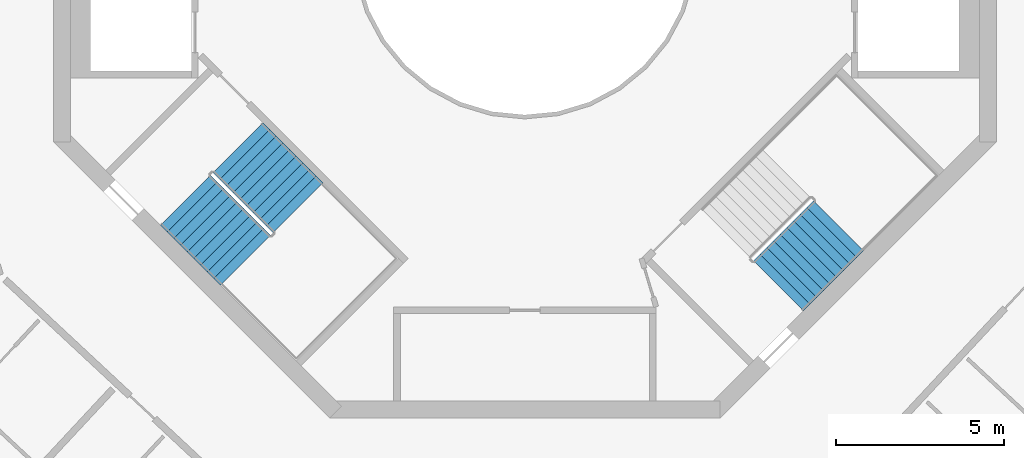
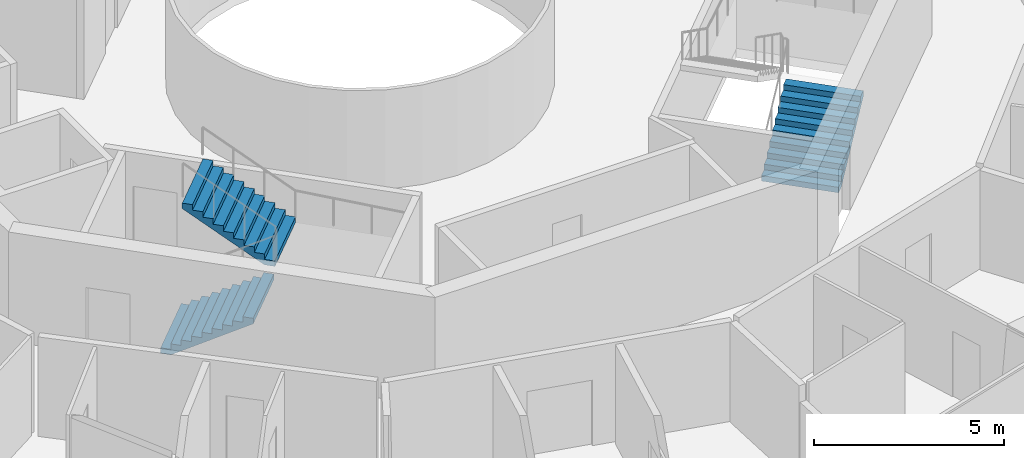
# One storey, part 19 of 21: 3 stair flights, 2 elements without a shape of their own.
"""IFC4 building model written with IfcOpenShell, lengths in metres."""

from ifc_helpers import new_model, si_unit, direction, frame, origin, place, context, subcontext, project, spatial, triangles, material, type_object, element, aggregate, save


model = new_model("IFC4")

# Units and contexts
model_context = context("Model", 3, precision=1e-05, world=origin(), true_north=direction((0.0, 1.0)))
body_context = subcontext(model_context, "Body", "Model", "MODEL_VIEW")
ifc_project = project(units=[si_unit("LENGTHUNIT", "METRE"), si_unit("AREAUNIT", "SQUARE_METRE"), si_unit("VOLUMEUNIT", "CUBIC_METRE"), si_unit("PLANEANGLEUNIT", "RADIAN"), si_unit("MASSUNIT", "GRAM", prefix="KILO")], contexts=[model_context])

# Site, building, storey
site_placement = place(None, origin())
site = spatial("IfcSite", under=ifc_project, at=site_placement, CompositionType="ELEMENT")
building_placement = place(site_placement, origin())
building = spatial("IfcBuilding", under=site, at=building_placement, Name="Verdalira Terraces Hotel", CompositionType="ELEMENT")
storey_placement = place(building_placement, frame((0.0, 0.0, 227.0)))
storey = spatial("IfcBuildingStorey", under=building, at=storey_placement, Name="L55", CompositionType="ELEMENT", Elevation=227.0)

# Stair, stair flights
ifc_material_1 = material(Name="Concrete C40", Category="concrete")
stair_type = type_object("IfcStairType", Name="Core stair 20 risers 2100 mm wide", PredefinedType="HALF_TURN_STAIR", material=ifc_material_1)
stair_1_placement = place(storey_placement, origin())
stair_1 = element("IfcStair", 1, at=stair_1_placement, inside=storey, type_object=stair_type, Name="L55 Exit stair ST2", PredefinedType="HALF_TURN_STAIR")
ifc_material_2 = material(Name="Concrete C40", Category="concrete")
stair_flight_type = type_object("IfcStairFlightType", Name="Core stair flight 20 risers 2100 mm wide", PredefinedType="STRAIGHT", material=ifc_material_2)
stair_flight_1_placement = place(storey_placement, frame((-10.076172, -7.530762, 0.0), z_axis=(0.0, 0.0, 1.0), x_axis=(0.707106781, -0.707106781, 0.0)))
stair_flight_1 = element("IfcStairFlight", 2, at=stair_flight_1_placement, type_object=stair_flight_type, Name="ST2 flight 1", NumberOfRisers=10, NumberOfTreads=9, PredefinedType="STRAIGHT", RiserHeight=0.175, TreadLength=0.28, context=body_context, shape_type="Tessellation", body=[
    triangles([(0.0, 1.050049, 0.0), (0.282715, 1.050049, 0.0), (2.52002, 1.050049, 1.398193), (0.0, -1.050049, 0.0), (0.282715, -1.050049, 0.0), (2.52002, -1.050049, 1.398193), (2.52002, 1.050049, 1.574951), (2.23999, 1.050049, 1.574951), (2.52002, -1.050049, 1.574951), (2.23999, -1.050049, 1.574951), (2.23999, 1.050049, 1.399902), (2.23999, -1.050049, 1.399902), (1.959961, 1.050049, 1.399902), (1.959961, -1.050049, 1.399902), (1.959961, 1.050049, 1.225098), (1.959961, -1.050049, 1.225098), (1.679932, 1.050049, 1.225098), (1.679932, 1.050049, 1.050049), (1.679932, -1.050049, 1.225098), (1.679932, -1.050049, 1.050049), (1.399902, 1.050049, 1.050049), (1.399902, 1.050049, 0.875), (1.399902, -1.050049, 1.050049), (1.399902, -1.050049, 0.875), (1.120117, 1.050049, 0.875), (1.120117, 1.050049, 0.699951), (1.120117, -1.050049, 0.875), (1.120117, -1.050049, 0.699951), (0.840088, 1.050049, 0.699951), (0.840088, 1.050049, 0.524902), (0.840088, -1.050049, 0.699951), (0.840088, -1.050049, 0.524902), (0.560059, 1.050049, 0.524902), (0.560059, 1.050049, 0.350098), (0.560059, -1.050049, 0.524902), (0.560059, -1.050049, 0.350098), (0.280029, 1.050049, 0.350098), (0.280029, 1.050049, 0.175049), (0.280029, -1.050049, 0.350098), (0.280029, -1.050049, 0.175049), (0.0, 1.050049, 0.175049), (0.0, -1.050049, 0.175049), (0.0, -0.984421, 0.0), (0.0, -0.984421, 0.175049), (0.0, -0.918793, 0.0), (0.0, -0.918793, 0.175049), (0.0, -0.853165, 0.0), (0.0, -0.853165, 0.175049), (0.0, -0.787537, 0.0), (0.0, -0.787537, 0.175049), (0.0, -0.721909, 0.0), (0.0, -0.721909, 0.175049), (0.0, -0.656281, 0.0), (0.0, -0.656281, 0.175049), (0.0, -0.590652, 0.0), (0.0, -0.590652, 0.175049), (0.0, -0.525024, 0.0), (0.0, -0.525024, 0.175049), (0.0, -0.459396, 0.0), (0.0, -0.459396, 0.175049), (0.0, -0.393768, 0.0), (0.0, -0.393768, 0.175049), (0.0, -0.32814, 0.0), (0.0, -0.32814, 0.175049), (0.0, -0.262512, 0.0), (0.0, -0.262512, 0.175049), (0.0, -0.196884, 0.0), (0.0, -0.196884, 0.175049), (0.0, -0.131256, 0.0), (0.0, -0.131256, 0.175049), (0.0, -0.065628, 0.0), (0.0, -0.065628, 0.175049), (0.0, 0.0, 0.0), (0.0, 0.0, 0.175049), (0.0, 0.065628, 0.0), (0.0, 0.065628, 0.175049), (0.0, 0.131256, 0.0), (0.0, 0.131256, 0.175049), (0.0, 0.196884, 0.0), (0.0, 0.196884, 0.175049), (0.0, 0.262512, 0.0), (0.0, 0.262512, 0.175049), (0.0, 0.32814, 0.0), (0.0, 0.32814, 0.175049), (0.0, 0.393768, 0.0), (0.0, 0.393768, 0.175049), (0.0, 0.459396, 0.0), (0.0, 0.459396, 0.175049), (0.0, 0.525024, 0.0), (0.0, 0.525024, 0.175049), (0.0, 0.590652, 0.0), (0.0, 0.590652, 0.175049), (0.0, 0.656281, 0.0), (0.0, 0.656281, 0.175049), (0.0, 0.721909, 0.0), (0.0, 0.721909, 0.175049), (0.0, 0.787537, 0.0), (0.0, 0.787537, 0.175049), (0.0, 0.853165, 0.0), (0.0, 0.853165, 0.175049), (0.0, 0.918793, 0.0), (0.0, 0.918793, 0.175049), (0.0, 0.984421, 0.0), (0.0, 0.984421, 0.175049), (2.52002, -0.984421, 1.574951), (2.52002, -0.918793, 1.574951), (2.52002, -0.853165, 1.574951), (2.52002, -0.787537, 1.574951), (2.52002, -0.721909, 1.574951), (2.52002, -0.656281, 1.574951), (2.52002, -0.590652, 1.574951), (2.52002, -0.525024, 1.574951), (2.52002, -0.459396, 1.574951), (2.52002, -0.393768, 1.574951), (2.52002, -0.32814, 1.574951), (2.52002, -0.262512, 1.574951), (2.52002, -0.196884, 1.574951), (2.52002, -0.131256, 1.574951), (2.52002, -0.065628, 1.574951), (2.52002, 0.0, 1.574951), (2.52002, 0.065628, 1.574951), (2.52002, 0.131256, 1.574951), (2.52002, 0.196884, 1.574951), (2.52002, 0.262512, 1.574951), (2.52002, 0.32814, 1.574951), (2.52002, 0.393768, 1.574951), (2.52002, 0.459396, 1.574951), (2.52002, 0.525024, 1.574951), (2.52002, 0.590652, 1.574951), (2.52002, 0.656281, 1.574951), (2.52002, 0.721909, 1.574951), (2.52002, 0.787537, 1.574951), (2.52002, 0.853165, 1.574951), (2.52002, 0.918793, 1.574951), (2.52002, 0.984421, 1.574951), (2.52002, -0.984421, 1.398193), (2.52002, -0.918793, 1.398193), (2.52002, -0.853165, 1.398193), (2.52002, -0.787537, 1.398193), (2.52002, -0.721909, 1.398193), (2.52002, -0.656281, 1.398193), (2.52002, -0.590652, 1.398193), (2.52002, -0.525024, 1.398193), (2.52002, -0.459396, 1.398193), (2.52002, -0.393768, 1.398193), (2.52002, -0.32814, 1.398193), (2.52002, -0.262512, 1.398193), (2.52002, -0.196884, 1.398193), (2.52002, -0.131256, 1.398193), (2.52002, -0.065628, 1.398193), (2.52002, 0.0, 1.398193), (2.52002, 0.065628, 1.398193), (2.52002, 0.131256, 1.398193), (2.52002, 0.196884, 1.398193), (2.52002, 0.262512, 1.398193), (2.52002, 0.32814, 1.398193), (2.52002, 0.393768, 1.398193), (2.52002, 0.459396, 1.398193), (2.52002, 0.525024, 1.398193), (2.52002, 0.590652, 1.398193), (2.52002, 0.656281, 1.398193), (2.52002, 0.721909, 1.398193), (2.52002, 0.787537, 1.398193), (2.52002, 0.853165, 1.398193), (2.52002, 0.918793, 1.398193), (2.52002, 0.984421, 1.398193)], [[1, 3, 2], [4, 5, 6], [3, 8, 7], [6, 9, 10], [3, 11, 8], [6, 10, 12], [3, 13, 11], [6, 12, 14], [3, 15, 13], [6, 14, 16], [15, 18, 17], [16, 19, 20], [3, 18, 15], [6, 16, 20], [18, 22, 21], [20, 23, 24], [3, 22, 18], [6, 20, 24], [22, 26, 25], [24, 27, 28], [3, 26, 22], [6, 24, 28], [26, 30, 29], [28, 31, 32], [3, 30, 26], [6, 28, 32], [1, 30, 3], [4, 6, 32], [30, 34, 33], [32, 35, 36], [34, 38, 37], [36, 39, 40], [30, 38, 34], [32, 36, 40], [1, 38, 30], [4, 32, 40], [38, 1, 41], [40, 42, 4], [4, 44, 43], [4, 42, 44], [43, 46, 45], [43, 44, 46], [45, 48, 47], [45, 46, 48], [47, 50, 49], [47, 48, 50], [49, 52, 51], [49, 50, 52], [51, 54, 53], [51, 52, 54], [53, 56, 55], [53, 54, 56], [55, 58, 57], [55, 56, 58], [57, 60, 59], [57, 58, 60], [59, 62, 61], [59, 60, 62], [61, 64, 63], [61, 62, 64], [63, 66, 65], [63, 64, 66], [65, 68, 67], [65, 66, 68], [67, 70, 69], [67, 68, 70], [69, 72, 71], [69, 70, 72], [71, 74, 73], [71, 72, 74], [73, 76, 75], [73, 74, 76], [75, 78, 77], [75, 76, 78], [77, 80, 79], [77, 78, 80], [79, 82, 81], [79, 80, 82], [81, 84, 83], [81, 82, 84], [83, 86, 85], [83, 84, 86], [85, 88, 87], [85, 86, 88], [87, 90, 89], [87, 88, 90], [89, 92, 91], [89, 90, 92], [91, 94, 93], [91, 92, 94], [93, 96, 95], [93, 94, 96], [95, 98, 97], [95, 96, 98], [97, 100, 99], [97, 98, 100], [99, 102, 101], [99, 100, 102], [101, 104, 103], [101, 102, 104], [103, 41, 1], [103, 104, 41], [42, 40, 44], [44, 40, 46], [46, 40, 48], [48, 40, 50], [50, 40, 52], [52, 40, 54], [54, 40, 56], [56, 40, 58], [58, 40, 60], [60, 40, 62], [62, 40, 64], [64, 40, 66], [66, 40, 68], [68, 40, 70], [70, 40, 72], [72, 40, 74], [74, 40, 76], [76, 40, 78], [78, 40, 80], [80, 40, 82], [82, 40, 84], [84, 40, 86], [86, 40, 88], [88, 40, 90], [90, 40, 92], [92, 40, 94], [94, 40, 96], [96, 40, 98], [98, 40, 100], [100, 40, 102], [102, 40, 104], [104, 40, 41], [41, 40, 38], [40, 37, 38], [40, 39, 37], [39, 34, 37], [39, 36, 34], [36, 33, 34], [36, 35, 33], [35, 30, 33], [35, 32, 30], [32, 29, 30], [32, 31, 29], [31, 26, 29], [31, 28, 26], [28, 25, 26], [28, 27, 25], [27, 22, 25], [27, 24, 22], [24, 21, 22], [24, 23, 21], [23, 18, 21], [23, 20, 18], [20, 17, 18], [20, 19, 17], [19, 15, 17], [19, 16, 15], [16, 13, 15], [16, 14, 13], [14, 11, 13], [14, 12, 11], [12, 8, 11], [12, 10, 8], [9, 105, 10], [105, 106, 10], [106, 107, 10], [107, 108, 10], [108, 109, 10], [109, 110, 10], [110, 111, 10], [111, 112, 10], [112, 113, 10], [113, 114, 10], [114, 115, 10], [115, 116, 10], [116, 117, 10], [117, 118, 10], [118, 119, 10], [119, 120, 10], [120, 121, 10], [121, 122, 10], [122, 123, 10], [123, 124, 10], [124, 125, 10], [125, 126, 10], [126, 127, 10], [127, 128, 10], [128, 129, 10], [129, 130, 10], [130, 131, 10], [131, 132, 10], [132, 133, 10], [133, 134, 10], [134, 135, 10], [135, 7, 10], [7, 8, 10], [9, 136, 105], [9, 6, 136], [105, 137, 106], [105, 136, 137], [106, 138, 107], [106, 137, 138], [107, 139, 108], [107, 138, 139], [108, 140, 109], [108, 139, 140], [109, 141, 110], [109, 140, 141], [110, 142, 111], [110, 141, 142], [111, 143, 112], [111, 142, 143], [112, 144, 113], [112, 143, 144], [113, 145, 114], [113, 144, 145], [114, 146, 115], [114, 145, 146], [115, 147, 116], [115, 146, 147], [116, 148, 117], [116, 147, 148], [117, 149, 118], [117, 148, 149], [118, 150, 119], [118, 149, 150], [119, 151, 120], [119, 150, 151], [120, 152, 121], [120, 151, 152], [121, 153, 122], [121, 152, 153], [122, 154, 123], [122, 153, 154], [123, 155, 124], [123, 154, 155], [124, 156, 125], [124, 155, 156], [125, 157, 126], [125, 156, 157], [126, 158, 127], [126, 157, 158], [127, 159, 128], [127, 158, 159], [128, 160, 129], [128, 159, 160], [129, 161, 130], [129, 160, 161], [130, 162, 131], [130, 161, 162], [131, 163, 132], [131, 162, 163], [132, 164, 133], [132, 163, 164], [133, 165, 134], [133, 164, 165], [134, 166, 135], [134, 165, 166], [135, 3, 7], [135, 166, 3], [6, 5, 136], [136, 5, 137], [137, 5, 138], [138, 5, 139], [139, 5, 140], [140, 5, 141], [141, 5, 142], [142, 5, 143], [143, 5, 144], [144, 5, 145], [145, 5, 146], [146, 5, 147], [147, 5, 148], [148, 5, 149], [149, 5, 150], [150, 5, 151], [151, 5, 152], [152, 5, 153], [153, 5, 154], [154, 5, 155], [155, 5, 156], [156, 5, 157], [157, 5, 158], [158, 5, 159], [159, 5, 160], [160, 5, 161], [161, 5, 162], [162, 5, 163], [163, 5, 164], [164, 5, 165], [165, 5, 166], [166, 5, 3], [3, 5, 2], [4, 43, 5], [43, 45, 5], [45, 47, 5], [47, 49, 5], [49, 51, 5], [51, 53, 5], [53, 55, 5], [55, 57, 5], [57, 59, 5], [59, 61, 5], [61, 63, 5], [63, 65, 5], [65, 67, 5], [67, 69, 5], [69, 71, 5], [71, 73, 5], [73, 75, 5], [75, 77, 5], [77, 79, 5], [79, 81, 5], [81, 83, 5], [83, 85, 5], [85, 87, 5], [87, 89, 5], [89, 91, 5], [91, 93, 5], [93, 95, 5], [95, 97, 5], [97, 99, 5], [99, 101, 5], [101, 103, 5], [103, 1, 5], [1, 2, 5]], closed=True),
])
stair_flight_2_placement = place(storey_placement, frame((-6.73877, -7.75708, 1.75), z_axis=(0.0, 0.0, 1.0), x_axis=(-0.707106781, 0.707106781, 0.0)))
stair_flight_2 = element("IfcStairFlight", 3, at=stair_flight_2_placement, type_object=stair_flight_type, Name="ST2 flight 2", NumberOfRisers=10, NumberOfTreads=9, PredefinedType="STRAIGHT", RiserHeight=0.175, TreadLength=0.28, context=body_context, shape_type="Tessellation", body=[
    triangles([(0.0, 1.050049, 0.0), (0.282715, 1.050049, 0.0), (2.52002, 1.050049, 1.398193), (0.0, -1.050049, 0.0), (0.282715, -1.050049, 0.0), (2.52002, -1.050049, 1.398193), (2.52002, 1.050049, 1.574951), (2.23999, 1.050049, 1.574951), (2.52002, -1.050049, 1.574951), (2.23999, -1.050049, 1.574951), (2.23999, 1.050049, 1.399902), (2.23999, -1.050049, 1.399902), (1.959961, 1.050049, 1.399902), (1.959961, -1.050049, 1.399902), (1.959961, 1.050049, 1.225098), (1.959961, -1.050049, 1.225098), (1.679932, 1.050049, 1.225098), (1.679932, 1.050049, 1.050049), (1.679932, -1.050049, 1.225098), (1.679932, -1.050049, 1.050049), (1.399902, 1.050049, 1.050049), (1.399902, 1.050049, 0.875), (1.399902, -1.050049, 1.050049), (1.399902, -1.050049, 0.875), (1.120117, 1.050049, 0.875), (1.120117, 1.050049, 0.699951), (1.120117, -1.050049, 0.875), (1.120117, -1.050049, 0.699951), (0.840088, 1.050049, 0.699951), (0.840088, 1.050049, 0.524902), (0.840088, -1.050049, 0.699951), (0.840088, -1.050049, 0.524902), (0.560059, 1.050049, 0.524902), (0.560059, 1.050049, 0.350098), (0.560059, -1.050049, 0.524902), (0.560059, -1.050049, 0.350098), (0.280029, 1.050049, 0.350098), (0.280029, 1.050049, 0.175049), (0.280029, -1.050049, 0.350098), (0.280029, -1.050049, 0.175049), (0.0, 1.050049, 0.175049), (0.0, -1.050049, 0.175049), (0.0, -0.984421, 0.0), (0.0, -0.984421, 0.175049), (0.0, -0.918793, 0.0), (0.0, -0.918793, 0.175049), (0.0, -0.853165, 0.0), (0.0, -0.853165, 0.175049), (0.0, -0.787537, 0.0), (0.0, -0.787537, 0.175049), (0.0, -0.721909, 0.0), (0.0, -0.721909, 0.175049), (0.0, -0.656281, 0.0), (0.0, -0.656281, 0.175049), (0.0, -0.590652, 0.0), (0.0, -0.590652, 0.175049), (0.0, -0.525024, 0.0), (0.0, -0.525024, 0.175049), (0.0, -0.459396, 0.0), (0.0, -0.459396, 0.175049), (0.0, -0.393768, 0.0), (0.0, -0.393768, 0.175049), (0.0, -0.32814, 0.0), (0.0, -0.32814, 0.175049), (0.0, -0.262512, 0.0), (0.0, -0.262512, 0.175049), (0.0, -0.196884, 0.0), (0.0, -0.196884, 0.175049), (0.0, -0.131256, 0.0), (0.0, -0.131256, 0.175049), (0.0, -0.065628, 0.0), (0.0, -0.065628, 0.175049), (0.0, 0.0, 0.0), (0.0, 0.0, 0.175049), (0.0, 0.065628, 0.0), (0.0, 0.065628, 0.175049), (0.0, 0.131256, 0.0), (0.0, 0.131256, 0.175049), (0.0, 0.196884, 0.0), (0.0, 0.196884, 0.175049), (0.0, 0.262512, 0.0), (0.0, 0.262512, 0.175049), (0.0, 0.32814, 0.0), (0.0, 0.32814, 0.175049), (0.0, 0.393768, 0.0), (0.0, 0.393768, 0.175049), (0.0, 0.459396, 0.0), (0.0, 0.459396, 0.175049), (0.0, 0.525024, 0.0), (0.0, 0.525024, 0.175049), (0.0, 0.590652, 0.0), (0.0, 0.590652, 0.175049), (0.0, 0.656281, 0.0), (0.0, 0.656281, 0.175049), (0.0, 0.721909, 0.0), (0.0, 0.721909, 0.175049), (0.0, 0.787537, 0.0), (0.0, 0.787537, 0.175049), (0.0, 0.853165, 0.0), (0.0, 0.853165, 0.175049), (0.0, 0.918793, 0.0), (0.0, 0.918793, 0.175049), (0.0, 0.984421, 0.0), (0.0, 0.984421, 0.175049), (2.52002, -0.984421, 1.574951), (2.52002, -0.918793, 1.574951), (2.52002, -0.853165, 1.574951), (2.52002, -0.787537, 1.574951), (2.52002, -0.721909, 1.574951), (2.52002, -0.656281, 1.574951), (2.52002, -0.590652, 1.574951), (2.52002, -0.525024, 1.574951), (2.52002, -0.459396, 1.574951), (2.52002, -0.393768, 1.574951), (2.52002, -0.32814, 1.574951), (2.52002, -0.262512, 1.574951), (2.52002, -0.196884, 1.574951), (2.52002, -0.131256, 1.574951), (2.52002, -0.065628, 1.574951), (2.52002, 0.0, 1.574951), (2.52002, 0.065628, 1.574951), (2.52002, 0.131256, 1.574951), (2.52002, 0.196884, 1.574951), (2.52002, 0.262512, 1.574951), (2.52002, 0.32814, 1.574951), (2.52002, 0.393768, 1.574951), (2.52002, 0.459396, 1.574951), (2.52002, 0.525024, 1.574951), (2.52002, 0.590652, 1.574951), (2.52002, 0.656281, 1.574951), (2.52002, 0.721909, 1.574951), (2.52002, 0.787537, 1.574951), (2.52002, 0.853165, 1.574951), (2.52002, 0.918793, 1.574951), (2.52002, 0.984421, 1.574951), (2.52002, -0.984421, 1.398193), (2.52002, -0.918793, 1.398193), (2.52002, -0.853165, 1.398193), (2.52002, -0.787537, 1.398193), (2.52002, -0.721909, 1.398193), (2.52002, -0.656281, 1.398193), (2.52002, -0.590652, 1.398193), (2.52002, -0.525024, 1.398193), (2.52002, -0.459396, 1.398193), (2.52002, -0.393768, 1.398193), (2.52002, -0.32814, 1.398193), (2.52002, -0.262512, 1.398193), (2.52002, -0.196884, 1.398193), (2.52002, -0.131256, 1.398193), (2.52002, -0.065628, 1.398193), (2.52002, 0.0, 1.398193), (2.52002, 0.065628, 1.398193), (2.52002, 0.131256, 1.398193), (2.52002, 0.196884, 1.398193), (2.52002, 0.262512, 1.398193), (2.52002, 0.32814, 1.398193), (2.52002, 0.393768, 1.398193), (2.52002, 0.459396, 1.398193), (2.52002, 0.525024, 1.398193), (2.52002, 0.590652, 1.398193), (2.52002, 0.656281, 1.398193), (2.52002, 0.721909, 1.398193), (2.52002, 0.787537, 1.398193), (2.52002, 0.853165, 1.398193), (2.52002, 0.918793, 1.398193), (2.52002, 0.984421, 1.398193)], [[1, 3, 2], [4, 5, 6], [3, 8, 7], [6, 9, 10], [3, 11, 8], [6, 10, 12], [3, 13, 11], [6, 12, 14], [3, 15, 13], [6, 14, 16], [15, 18, 17], [16, 19, 20], [3, 18, 15], [6, 16, 20], [18, 22, 21], [20, 23, 24], [3, 22, 18], [6, 20, 24], [22, 26, 25], [24, 27, 28], [3, 26, 22], [6, 24, 28], [26, 30, 29], [28, 31, 32], [3, 30, 26], [6, 28, 32], [1, 30, 3], [4, 6, 32], [30, 34, 33], [32, 35, 36], [34, 38, 37], [36, 39, 40], [30, 38, 34], [32, 36, 40], [1, 38, 30], [4, 32, 40], [38, 1, 41], [40, 42, 4], [4, 44, 43], [4, 42, 44], [43, 46, 45], [43, 44, 46], [45, 48, 47], [45, 46, 48], [47, 50, 49], [47, 48, 50], [49, 52, 51], [49, 50, 52], [51, 54, 53], [51, 52, 54], [53, 56, 55], [53, 54, 56], [55, 58, 57], [55, 56, 58], [57, 60, 59], [57, 58, 60], [59, 62, 61], [59, 60, 62], [61, 64, 63], [61, 62, 64], [63, 66, 65], [63, 64, 66], [65, 68, 67], [65, 66, 68], [67, 70, 69], [67, 68, 70], [69, 72, 71], [69, 70, 72], [71, 74, 73], [71, 72, 74], [73, 76, 75], [73, 74, 76], [75, 78, 77], [75, 76, 78], [77, 80, 79], [77, 78, 80], [79, 82, 81], [79, 80, 82], [81, 84, 83], [81, 82, 84], [83, 86, 85], [83, 84, 86], [85, 88, 87], [85, 86, 88], [87, 90, 89], [87, 88, 90], [89, 92, 91], [89, 90, 92], [91, 94, 93], [91, 92, 94], [93, 96, 95], [93, 94, 96], [95, 98, 97], [95, 96, 98], [97, 100, 99], [97, 98, 100], [99, 102, 101], [99, 100, 102], [101, 104, 103], [101, 102, 104], [103, 41, 1], [103, 104, 41], [42, 40, 44], [44, 40, 46], [46, 40, 48], [48, 40, 50], [50, 40, 52], [52, 40, 54], [54, 40, 56], [56, 40, 58], [58, 40, 60], [60, 40, 62], [62, 40, 64], [64, 40, 66], [66, 40, 68], [68, 40, 70], [70, 40, 72], [72, 40, 74], [74, 40, 76], [76, 40, 78], [78, 40, 80], [80, 40, 82], [82, 40, 84], [84, 40, 86], [86, 40, 88], [88, 40, 90], [90, 40, 92], [92, 40, 94], [94, 40, 96], [96, 40, 98], [98, 40, 100], [100, 40, 102], [102, 40, 104], [104, 40, 41], [41, 40, 38], [40, 37, 38], [40, 39, 37], [39, 34, 37], [39, 36, 34], [36, 33, 34], [36, 35, 33], [35, 30, 33], [35, 32, 30], [32, 29, 30], [32, 31, 29], [31, 26, 29], [31, 28, 26], [28, 25, 26], [28, 27, 25], [27, 22, 25], [27, 24, 22], [24, 21, 22], [24, 23, 21], [23, 18, 21], [23, 20, 18], [20, 17, 18], [20, 19, 17], [19, 15, 17], [19, 16, 15], [16, 13, 15], [16, 14, 13], [14, 11, 13], [14, 12, 11], [12, 8, 11], [12, 10, 8], [9, 105, 10], [105, 106, 10], [106, 107, 10], [107, 108, 10], [108, 109, 10], [109, 110, 10], [110, 111, 10], [111, 112, 10], [112, 113, 10], [113, 114, 10], [114, 115, 10], [115, 116, 10], [116, 117, 10], [117, 118, 10], [118, 119, 10], [119, 120, 10], [120, 121, 10], [121, 122, 10], [122, 123, 10], [123, 124, 10], [124, 125, 10], [125, 126, 10], [126, 127, 10], [127, 128, 10], [128, 129, 10], [129, 130, 10], [130, 131, 10], [131, 132, 10], [132, 133, 10], [133, 134, 10], [134, 135, 10], [135, 7, 10], [7, 8, 10], [9, 136, 105], [9, 6, 136], [105, 137, 106], [105, 136, 137], [106, 138, 107], [106, 137, 138], [107, 139, 108], [107, 138, 139], [108, 140, 109], [108, 139, 140], [109, 141, 110], [109, 140, 141], [110, 142, 111], [110, 141, 142], [111, 143, 112], [111, 142, 143], [112, 144, 113], [112, 143, 144], [113, 145, 114], [113, 144, 145], [114, 146, 115], [114, 145, 146], [115, 147, 116], [115, 146, 147], [116, 148, 117], [116, 147, 148], [117, 149, 118], [117, 148, 149], [118, 150, 119], [118, 149, 150], [119, 151, 120], [119, 150, 151], [120, 152, 121], [120, 151, 152], [121, 153, 122], [121, 152, 153], [122, 154, 123], [122, 153, 154], [123, 155, 124], [123, 154, 155], [124, 156, 125], [124, 155, 156], [125, 157, 126], [125, 156, 157], [126, 158, 127], [126, 157, 158], [127, 159, 128], [127, 158, 159], [128, 160, 129], [128, 159, 160], [129, 161, 130], [129, 160, 161], [130, 162, 131], [130, 161, 162], [131, 163, 132], [131, 162, 163], [132, 164, 133], [132, 163, 164], [133, 165, 134], [133, 164, 165], [134, 166, 135], [134, 165, 166], [135, 3, 7], [135, 166, 3], [6, 5, 136], [136, 5, 137], [137, 5, 138], [138, 5, 139], [139, 5, 140], [140, 5, 141], [141, 5, 142], [142, 5, 143], [143, 5, 144], [144, 5, 145], [145, 5, 146], [146, 5, 147], [147, 5, 148], [148, 5, 149], [149, 5, 150], [150, 5, 151], [151, 5, 152], [152, 5, 153], [153, 5, 154], [154, 5, 155], [155, 5, 156], [156, 5, 157], [157, 5, 158], [158, 5, 159], [159, 5, 160], [160, 5, 161], [161, 5, 162], [162, 5, 163], [163, 5, 164], [164, 5, 165], [165, 5, 166], [166, 5, 3], [3, 5, 2], [4, 43, 5], [43, 45, 5], [45, 47, 5], [47, 49, 5], [49, 51, 5], [51, 53, 5], [53, 55, 5], [55, 57, 5], [57, 59, 5], [59, 61, 5], [61, 63, 5], [63, 65, 5], [65, 67, 5], [67, 69, 5], [69, 71, 5], [71, 73, 5], [73, 75, 5], [75, 77, 5], [77, 79, 5], [79, 81, 5], [81, 83, 5], [83, 85, 5], [85, 87, 5], [87, 89, 5], [89, 91, 5], [91, 93, 5], [93, 95, 5], [95, 97, 5], [97, 99, 5], [99, 101, 5], [101, 103, 5], [103, 1, 5], [1, 2, 5]], closed=True),
])
aggregate(stair_1, [stair_flight_1, stair_flight_2])

# Stair, stair flight
stair_2_placement = place(storey_placement, origin())
stair_2 = element("IfcStair", 4, at=stair_2_placement, inside=storey, type_object=stair_type, Name="L55 Exit stair ST3", PredefinedType="HALF_TURN_STAIR")
stair_flight_3_placement = place(storey_placement, frame((7.530762, -10.076172, 0.0), z_axis=(0.0, 0.0, 1.0), x_axis=(0.707106781, 0.707106781, 0.0)))
stair_flight_3 = element("IfcStairFlight", 5, at=stair_flight_3_placement, type_object=stair_flight_type, Name="ST3 flight 1", NumberOfRisers=10, NumberOfTreads=9, PredefinedType="STRAIGHT", RiserHeight=0.175, TreadLength=0.28, context=body_context, shape_type="Tessellation", body=[
    triangles([(0.0, 1.050049, 0.0), (0.282715, 1.050049, 0.0), (2.52002, 1.050049, 1.398193), (0.0, -1.050049, 0.0), (0.282715, -1.050049, 0.0), (2.52002, -1.050049, 1.398193), (2.52002, 1.050049, 1.574951), (2.23999, 1.050049, 1.574951), (2.52002, -1.050049, 1.574951), (2.23999, -1.050049, 1.574951), (2.23999, 1.050049, 1.399902), (2.23999, -1.050049, 1.399902), (1.959961, 1.050049, 1.399902), (1.959961, -1.050049, 1.399902), (1.959961, 1.050049, 1.225098), (1.959961, -1.050049, 1.225098), (1.679932, 1.050049, 1.225098), (1.679932, 1.050049, 1.050049), (1.679932, -1.050049, 1.225098), (1.679932, -1.050049, 1.050049), (1.399902, 1.050049, 1.050049), (1.399902, 1.050049, 0.875), (1.399902, -1.050049, 1.050049), (1.399902, -1.050049, 0.875), (1.120117, 1.050049, 0.875), (1.120117, 1.050049, 0.699951), (1.120117, -1.050049, 0.875), (1.120117, -1.050049, 0.699951), (0.840088, 1.050049, 0.699951), (0.840088, 1.050049, 0.524902), (0.840088, -1.050049, 0.699951), (0.840088, -1.050049, 0.524902), (0.560059, 1.050049, 0.524902), (0.560059, 1.050049, 0.350098), (0.560059, -1.050049, 0.524902), (0.560059, -1.050049, 0.350098), (0.280029, 1.050049, 0.350098), (0.280029, 1.050049, 0.175049), (0.280029, -1.050049, 0.350098), (0.280029, -1.050049, 0.175049), (0.0, 1.050049, 0.175049), (0.0, -1.050049, 0.175049), (0.0, -0.984421, 0.0), (0.0, -0.984421, 0.175049), (0.0, -0.918793, 0.0), (0.0, -0.918793, 0.175049), (0.0, -0.853165, 0.0), (0.0, -0.853165, 0.175049), (0.0, -0.787537, 0.0), (0.0, -0.787537, 0.175049), (0.0, -0.721909, 0.0), (0.0, -0.721909, 0.175049), (0.0, -0.656281, 0.0), (0.0, -0.656281, 0.175049), (0.0, -0.590652, 0.0), (0.0, -0.590652, 0.175049), (0.0, -0.525024, 0.0), (0.0, -0.525024, 0.175049), (0.0, -0.459396, 0.0), (0.0, -0.459396, 0.175049), (0.0, -0.393768, 0.0), (0.0, -0.393768, 0.175049), (0.0, -0.32814, 0.0), (0.0, -0.32814, 0.175049), (0.0, -0.262512, 0.0), (0.0, -0.262512, 0.175049), (0.0, -0.196884, 0.0), (0.0, -0.196884, 0.175049), (0.0, -0.131256, 0.0), (0.0, -0.131256, 0.175049), (0.0, -0.065628, 0.0), (0.0, -0.065628, 0.175049), (0.0, 0.0, 0.0), (0.0, 0.0, 0.175049), (0.0, 0.065628, 0.0), (0.0, 0.065628, 0.175049), (0.0, 0.131256, 0.0), (0.0, 0.131256, 0.175049), (0.0, 0.196884, 0.0), (0.0, 0.196884, 0.175049), (0.0, 0.262512, 0.0), (0.0, 0.262512, 0.175049), (0.0, 0.32814, 0.0), (0.0, 0.32814, 0.175049), (0.0, 0.393768, 0.0), (0.0, 0.393768, 0.175049), (0.0, 0.459396, 0.0), (0.0, 0.459396, 0.175049), (0.0, 0.525024, 0.0), (0.0, 0.525024, 0.175049), (0.0, 0.590652, 0.0), (0.0, 0.590652, 0.175049), (0.0, 0.656281, 0.0), (0.0, 0.656281, 0.175049), (0.0, 0.721909, 0.0), (0.0, 0.721909, 0.175049), (0.0, 0.787537, 0.0), (0.0, 0.787537, 0.175049), (0.0, 0.853165, 0.0), (0.0, 0.853165, 0.175049), (0.0, 0.918793, 0.0), (0.0, 0.918793, 0.175049), (0.0, 0.984421, 0.0), (0.0, 0.984421, 0.175049), (2.52002, -0.984421, 1.574951), (2.52002, -0.918793, 1.574951), (2.52002, -0.853165, 1.574951), (2.52002, -0.787537, 1.574951), (2.52002, -0.721909, 1.574951), (2.52002, -0.656281, 1.574951), (2.52002, -0.590652, 1.574951), (2.52002, -0.525024, 1.574951), (2.52002, -0.459396, 1.574951), (2.52002, -0.393768, 1.574951), (2.52002, -0.32814, 1.574951), (2.52002, -0.262512, 1.574951), (2.52002, -0.196884, 1.574951), (2.52002, -0.131256, 1.574951), (2.52002, -0.065628, 1.574951), (2.52002, 0.0, 1.574951), (2.52002, 0.065628, 1.574951), (2.52002, 0.131256, 1.574951), (2.52002, 0.196884, 1.574951), (2.52002, 0.262512, 1.574951), (2.52002, 0.32814, 1.574951), (2.52002, 0.393768, 1.574951), (2.52002, 0.459396, 1.574951), (2.52002, 0.525024, 1.574951), (2.52002, 0.590652, 1.574951), (2.52002, 0.656281, 1.574951), (2.52002, 0.721909, 1.574951), (2.52002, 0.787537, 1.574951), (2.52002, 0.853165, 1.574951), (2.52002, 0.918793, 1.574951), (2.52002, 0.984421, 1.574951), (2.52002, -0.984421, 1.398193), (2.52002, -0.918793, 1.398193), (2.52002, -0.853165, 1.398193), (2.52002, -0.787537, 1.398193), (2.52002, -0.721909, 1.398193), (2.52002, -0.656281, 1.398193), (2.52002, -0.590652, 1.398193), (2.52002, -0.525024, 1.398193), (2.52002, -0.459396, 1.398193), (2.52002, -0.393768, 1.398193), (2.52002, -0.32814, 1.398193), (2.52002, -0.262512, 1.398193), (2.52002, -0.196884, 1.398193), (2.52002, -0.131256, 1.398193), (2.52002, -0.065628, 1.398193), (2.52002, 0.0, 1.398193), (2.52002, 0.065628, 1.398193), (2.52002, 0.131256, 1.398193), (2.52002, 0.196884, 1.398193), (2.52002, 0.262512, 1.398193), (2.52002, 0.32814, 1.398193), (2.52002, 0.393768, 1.398193), (2.52002, 0.459396, 1.398193), (2.52002, 0.525024, 1.398193), (2.52002, 0.590652, 1.398193), (2.52002, 0.656281, 1.398193), (2.52002, 0.721909, 1.398193), (2.52002, 0.787537, 1.398193), (2.52002, 0.853165, 1.398193), (2.52002, 0.918793, 1.398193), (2.52002, 0.984421, 1.398193)], [[1, 3, 2], [4, 5, 6], [3, 8, 7], [6, 9, 10], [3, 11, 8], [6, 10, 12], [3, 13, 11], [6, 12, 14], [3, 15, 13], [6, 14, 16], [15, 18, 17], [16, 19, 20], [3, 18, 15], [6, 16, 20], [18, 22, 21], [20, 23, 24], [3, 22, 18], [6, 20, 24], [22, 26, 25], [24, 27, 28], [3, 26, 22], [6, 24, 28], [26, 30, 29], [28, 31, 32], [3, 30, 26], [6, 28, 32], [1, 30, 3], [4, 6, 32], [30, 34, 33], [32, 35, 36], [34, 38, 37], [36, 39, 40], [30, 38, 34], [32, 36, 40], [1, 38, 30], [4, 32, 40], [38, 1, 41], [40, 42, 4], [4, 44, 43], [4, 42, 44], [43, 46, 45], [43, 44, 46], [45, 48, 47], [45, 46, 48], [47, 50, 49], [47, 48, 50], [49, 52, 51], [49, 50, 52], [51, 54, 53], [51, 52, 54], [53, 56, 55], [53, 54, 56], [55, 58, 57], [55, 56, 58], [57, 60, 59], [57, 58, 60], [59, 62, 61], [59, 60, 62], [61, 64, 63], [61, 62, 64], [63, 66, 65], [63, 64, 66], [65, 68, 67], [65, 66, 68], [67, 70, 69], [67, 68, 70], [69, 72, 71], [69, 70, 72], [71, 74, 73], [71, 72, 74], [73, 76, 75], [73, 74, 76], [75, 78, 77], [75, 76, 78], [77, 80, 79], [77, 78, 80], [79, 82, 81], [79, 80, 82], [81, 84, 83], [81, 82, 84], [83, 86, 85], [83, 84, 86], [85, 88, 87], [85, 86, 88], [87, 90, 89], [87, 88, 90], [89, 92, 91], [89, 90, 92], [91, 94, 93], [91, 92, 94], [93, 96, 95], [93, 94, 96], [95, 98, 97], [95, 96, 98], [97, 100, 99], [97, 98, 100], [99, 102, 101], [99, 100, 102], [101, 104, 103], [101, 102, 104], [103, 41, 1], [103, 104, 41], [42, 40, 44], [44, 40, 46], [46, 40, 48], [48, 40, 50], [50, 40, 52], [52, 40, 54], [54, 40, 56], [56, 40, 58], [58, 40, 60], [60, 40, 62], [62, 40, 64], [64, 40, 66], [66, 40, 68], [68, 40, 70], [70, 40, 72], [72, 40, 74], [74, 40, 76], [76, 40, 78], [78, 40, 80], [80, 40, 82], [82, 40, 84], [84, 40, 86], [86, 40, 88], [88, 40, 90], [90, 40, 92], [92, 40, 94], [94, 40, 96], [96, 40, 98], [98, 40, 100], [100, 40, 102], [102, 40, 104], [104, 40, 41], [41, 40, 38], [40, 37, 38], [40, 39, 37], [39, 34, 37], [39, 36, 34], [36, 33, 34], [36, 35, 33], [35, 30, 33], [35, 32, 30], [32, 29, 30], [32, 31, 29], [31, 26, 29], [31, 28, 26], [28, 25, 26], [28, 27, 25], [27, 22, 25], [27, 24, 22], [24, 21, 22], [24, 23, 21], [23, 18, 21], [23, 20, 18], [20, 17, 18], [20, 19, 17], [19, 15, 17], [19, 16, 15], [16, 13, 15], [16, 14, 13], [14, 11, 13], [14, 12, 11], [12, 8, 11], [12, 10, 8], [9, 105, 10], [105, 106, 10], [106, 107, 10], [107, 108, 10], [108, 109, 10], [109, 110, 10], [110, 111, 10], [111, 112, 10], [112, 113, 10], [113, 114, 10], [114, 115, 10], [115, 116, 10], [116, 117, 10], [117, 118, 10], [118, 119, 10], [119, 120, 10], [120, 121, 10], [121, 122, 10], [122, 123, 10], [123, 124, 10], [124, 125, 10], [125, 126, 10], [126, 127, 10], [127, 128, 10], [128, 129, 10], [129, 130, 10], [130, 131, 10], [131, 132, 10], [132, 133, 10], [133, 134, 10], [134, 135, 10], [135, 7, 10], [7, 8, 10], [9, 136, 105], [9, 6, 136], [105, 137, 106], [105, 136, 137], [106, 138, 107], [106, 137, 138], [107, 139, 108], [107, 138, 139], [108, 140, 109], [108, 139, 140], [109, 141, 110], [109, 140, 141], [110, 142, 111], [110, 141, 142], [111, 143, 112], [111, 142, 143], [112, 144, 113], [112, 143, 144], [113, 145, 114], [113, 144, 145], [114, 146, 115], [114, 145, 146], [115, 147, 116], [115, 146, 147], [116, 148, 117], [116, 147, 148], [117, 149, 118], [117, 148, 149], [118, 150, 119], [118, 149, 150], [119, 151, 120], [119, 150, 151], [120, 152, 121], [120, 151, 152], [121, 153, 122], [121, 152, 153], [122, 154, 123], [122, 153, 154], [123, 155, 124], [123, 154, 155], [124, 156, 125], [124, 155, 156], [125, 157, 126], [125, 156, 157], [126, 158, 127], [126, 157, 158], [127, 159, 128], [127, 158, 159], [128, 160, 129], [128, 159, 160], [129, 161, 130], [129, 160, 161], [130, 162, 131], [130, 161, 162], [131, 163, 132], [131, 162, 163], [132, 164, 133], [132, 163, 164], [133, 165, 134], [133, 164, 165], [134, 166, 135], [134, 165, 166], [135, 3, 7], [135, 166, 3], [6, 5, 136], [136, 5, 137], [137, 5, 138], [138, 5, 139], [139, 5, 140], [140, 5, 141], [141, 5, 142], [142, 5, 143], [143, 5, 144], [144, 5, 145], [145, 5, 146], [146, 5, 147], [147, 5, 148], [148, 5, 149], [149, 5, 150], [150, 5, 151], [151, 5, 152], [152, 5, 153], [153, 5, 154], [154, 5, 155], [155, 5, 156], [156, 5, 157], [157, 5, 158], [158, 5, 159], [159, 5, 160], [160, 5, 161], [161, 5, 162], [162, 5, 163], [163, 5, 164], [164, 5, 165], [165, 5, 166], [166, 5, 3], [3, 5, 2], [4, 43, 5], [43, 45, 5], [45, 47, 5], [47, 49, 5], [49, 51, 5], [51, 53, 5], [53, 55, 5], [55, 57, 5], [57, 59, 5], [59, 61, 5], [61, 63, 5], [63, 65, 5], [65, 67, 5], [67, 69, 5], [69, 71, 5], [71, 73, 5], [73, 75, 5], [75, 77, 5], [77, 79, 5], [79, 81, 5], [81, 83, 5], [83, 85, 5], [85, 87, 5], [87, 89, 5], [89, 91, 5], [91, 93, 5], [93, 95, 5], [95, 97, 5], [97, 99, 5], [99, 101, 5], [101, 103, 5], [103, 1, 5], [1, 2, 5]], closed=True),
])
aggregate(stair_2, [stair_flight_3])

save(model, "model.ifc")
